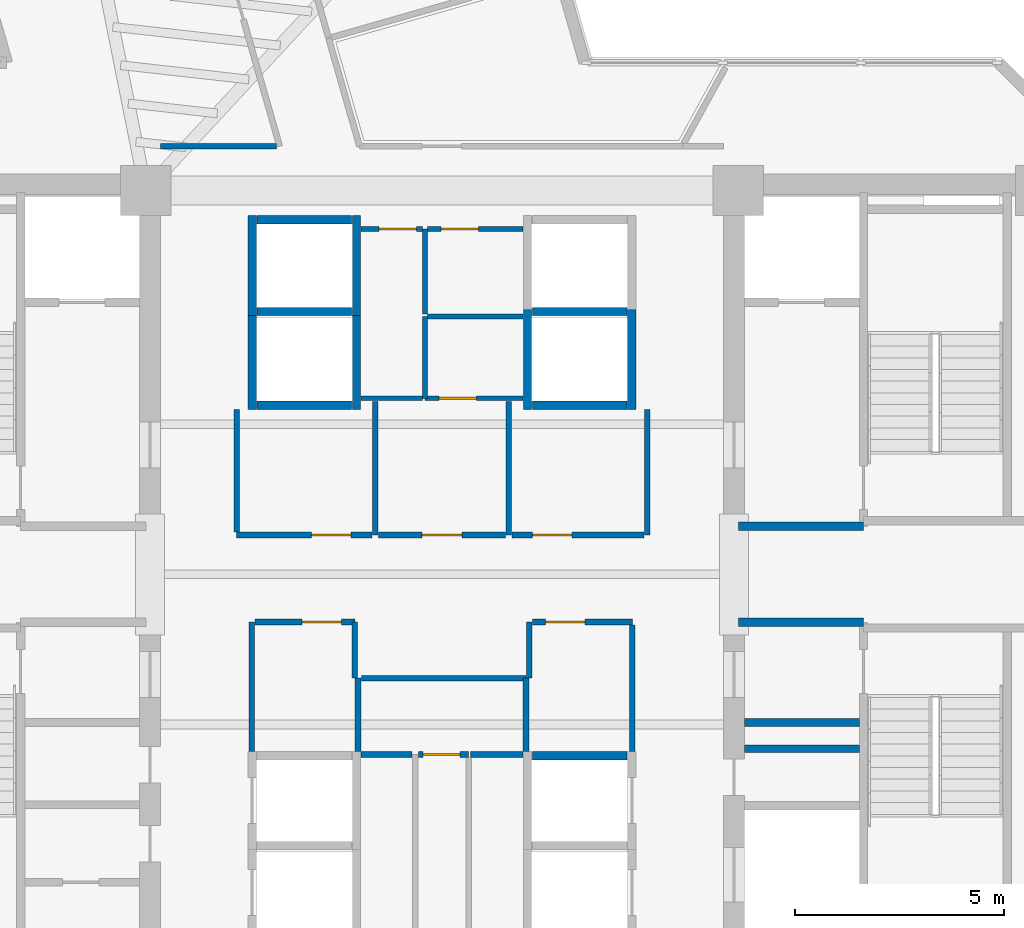
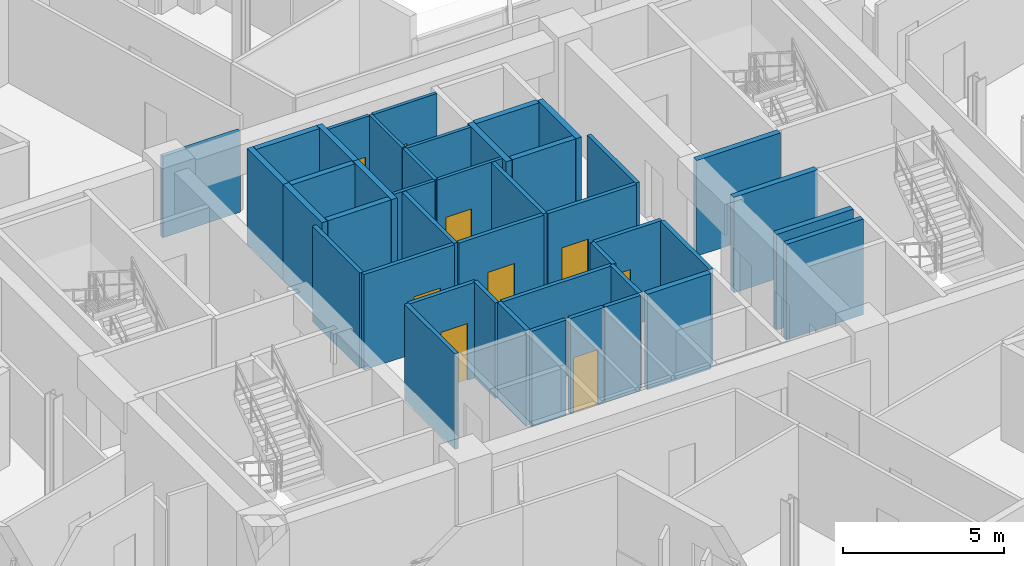
# One storey, part 7 of 14: 43 walls, 9 doors, 9 openings.
"""IFC4 building model written with IfcOpenShell, lengths in metres."""

from ifc_helpers import new_model, si_unit, direction, frame, frame_2d, origin, place, context, subcontext, project, spatial, rectangle, extrude, source, transform, mapped, material, layer, layer_set, type_object, element, fill, save


model = new_model("IFC4")

# Units and contexts
model_context = context("Model", 3, precision=1e-05, world=origin(), true_north=direction((0.0, 1.0)))
body_context = subcontext(model_context, "Body", "Model", "MODEL_VIEW")
ifc_project = project(units=[si_unit("LENGTHUNIT", "METRE"), si_unit("AREAUNIT", "SQUARE_METRE"), si_unit("VOLUMEUNIT", "CUBIC_METRE"), si_unit("PLANEANGLEUNIT", "RADIAN"), si_unit("MASSUNIT", "GRAM", prefix="KILO")], contexts=[model_context])

# Site, building, storey
site_placement = place(None, origin())
site = spatial("IfcSite", under=ifc_project, at=site_placement, CompositionType="ELEMENT")
building_placement = place(site_placement, origin())
building = spatial("IfcBuilding", under=site, at=building_placement, Name="Zahravan Cultural Tower", CompositionType="ELEMENT")
storey_placement = place(building_placement, frame((0.0, 0.0, 205.800048828125)))
storey = spatial("IfcBuildingStorey", under=building, at=storey_placement, Name="L48", CompositionType="ELEMENT", Elevation=205.800048828125)

# Wall, opening, door
ifc_material_1 = material(Name="Gypsum plasterboard partition")
ifc_layer_1 = layer(ifc_material_1, 0.139892578125)
ifc_layer_set_1 = layer_set([ifc_layer_1], Name="Gypsum plasterboard partition")
wall_type_1 = type_object("IfcWallType", Name="W-PART-140", PredefinedType="PARTITIONING", material=ifc_layer_set_1)
wall_1_placement = place(storey_placement, frame((35.43505859375, 22.679931640625, 0.0), z_axis=(0.0, 0.0, 1.0), x_axis=(1.0, 0.0, 0.0)))
wall_1 = element("IfcWall", 1, at=wall_1_placement, inside=storey, type_object=wall_type_1, Name="L48 Interior Wall 063", PredefinedType="PARTITIONING", context=body_context, shape_type="SweptSolid", body=[
    extrude(rectangle(XDim=1.204833984375, YDim=0.139892578125, at=frame_2d((0.6025390625, 0.0))), origin(), (0.0, 0.0, 1.0), 3.619873046875),
])
opening_1_placement = place(wall_1_placement, frame((0.11376953125, 0.0, 0.0)))
opening_1 = element("IfcOpeningElement", 2, at=opening_1_placement, cuts=wall_1, Name="Opening D-L48-34", PredefinedType="OPENING", context=body_context, shape_type="SweptSolid", body=[
    extrude(rectangle(XDim=0.8798828125, YDim=2.10009765625, at=frame_2d((0.43994140625, 1.050048828125))), frame((0.0, 0.079833984375, 0.0), z_axis=(0.0, -1.0, 0.0), x_axis=(1.0, 0.0, 0.0)), (0.0, 0.0, 1.0), 0.159912109375),
])
ifc_material_2 = material(Name="Anodised bronze-aluminium mullion", Category="aluminium")
door_type_1 = type_object("IfcDoorType", Name="DR-ROOM-880", OperationType="NOTDEFINED", PredefinedType="DOOR", material=ifc_material_2)
shared_shape_1 = source(origin(), body_context, "Body", "SweptSolid", [
    extrude(rectangle(XDim=0.8798828125, YDim=2.10009765625, at=frame_2d((0.43994140625, 1.050048828125))), frame((0.0, 0.02490234375, 0.0), z_axis=(0.0, -1.0, 0.0), x_axis=(1.0, 0.0, 0.0)), (0.0, 0.0, 1.0), 0.050048828125),
])
door_1_placement = place(opening_1_placement, origin())
door_1 = element("IfcDoor", 3, at=door_1_placement, inside=storey, type_object=door_type_1, Name="L48 Door D-L48-34", OperationType="SINGLE_SWING_LEFT", OverallHeight=2.10009765625, OverallWidth=0.8798828125, PredefinedType="DOOR", context=body_context, shape_type="MappedRepresentation", body=[
    mapped(shared_shape_1, transform((0.0, 0.0, 0.0), x_axis=(1.0, 0.0, 0.0), y_axis=(0.0, 1.0, 0.0), z_axis=(0.0, 0.0, 1.0), scale=1.0)),
])
fill(opening_1, door_1)

wall_2_placement = place(storey_placement, frame((31.514892578125, 25.860107421875, 0.0), z_axis=(0.0, 0.0, 1.0), x_axis=(1.0, 0.0, 0.0)))
wall_2 = element("IfcWall", 4, at=wall_2_placement, inside=storey, type_object=wall_type_1, Name="L48 Interior Wall 076", PredefinedType="PARTITIONING", context=body_context, shape_type="SweptSolid", body=[
    extrude(rectangle(XDim=2.39501953125, YDim=0.139892578125, at=frame_2d((1.197509765625, 0.0))), origin(), (0.0, 0.0, 1.0), 3.619873046875),
])
opening_2_placement = place(wall_2_placement, frame((1.127197265625, 0.0, 0.0)))
opening_2 = element("IfcOpeningElement", 5, at=opening_2_placement, cuts=wall_2, Name="Opening D-L48-13", PredefinedType="OPENING", context=body_context, shape_type="SweptSolid", body=[
    extrude(rectangle(XDim=0.949951171875, YDim=2.14990234375, at=frame_2d((0.47509765625, 1.074951171875))), frame((0.0, 0.079833984375, 0.0), z_axis=(0.0, -1.0, 0.0), x_axis=(1.0, 0.0, 0.0)), (0.0, 0.0, 1.0), 0.159912109375),
])
door_type_2 = type_object("IfcDoorType", Name="DR-ROOM-950", OperationType="NOTDEFINED", PredefinedType="DOOR", material=ifc_material_2)
shared_shape_2 = source(origin(), body_context, "Body", "SweptSolid", [
    extrude(rectangle(XDim=0.949951171875, YDim=2.14990234375, at=frame_2d((0.47509765625, 1.074951171875))), frame((0.0, 0.02490234375, 0.0), z_axis=(0.0, -1.0, 0.0), x_axis=(1.0, 0.0, 0.0)), (0.0, 0.0, 1.0), 0.050048828125),
])
door_2_placement = place(opening_2_placement, origin())
door_2 = element("IfcDoor", 6, at=door_2_placement, inside=storey, type_object=door_type_2, Name="L48 Door D-L48-13", OperationType="SINGLE_SWING_RIGHT", OverallHeight=2.14990234375, OverallWidth=0.949951171875, PredefinedType="DOOR", context=body_context, shape_type="MappedRepresentation", body=[
    mapped(shared_shape_2, transform((0.0, 0.0, 0.0), x_axis=(1.0, 0.0, 0.0), y_axis=(0.0, 1.0, 0.0), z_axis=(0.0, 0.0, 1.0), scale=1.0)),
])
fill(opening_2, door_2)

wall_3_placement = place(storey_placement, frame((38.1650390625, 25.860107421875, 0.0), z_axis=(0.0, 0.0, 1.0), x_axis=(1.0, 0.0, 0.0)))
wall_3 = element("IfcWall", 7, at=wall_3_placement, inside=storey, type_object=wall_type_1, Name="L48 Interior Wall 079", PredefinedType="PARTITIONING", context=body_context, shape_type="SweptSolid", body=[
    extrude(rectangle(XDim=2.39501953125, YDim=0.139892578125, at=frame_2d((1.197509765625, 0.0))), origin(), (0.0, 0.0, 1.0), 3.619873046875),
])
opening_3_placement = place(wall_3_placement, frame((0.31787109375, 0.0, 0.0)))
opening_3 = element("IfcOpeningElement", 8, at=opening_3_placement, cuts=wall_3, Name="Opening D-L48-14", PredefinedType="OPENING", context=body_context, shape_type="SweptSolid", body=[
    extrude(rectangle(XDim=0.949951171875, YDim=2.14990234375, at=frame_2d((0.47509765625, 1.074951171875))), frame((0.0, 0.079833984375, 0.0), z_axis=(0.0, -1.0, 0.0), x_axis=(1.0, 0.0, 0.0)), (0.0, 0.0, 1.0), 0.159912109375),
])
door_3_placement = place(opening_3_placement, origin())
door_3 = element("IfcDoor", 9, at=door_3_placement, inside=storey, type_object=door_type_2, Name="L48 Door D-L48-14", OperationType="SINGLE_SWING_LEFT", OverallHeight=2.14990234375, OverallWidth=0.949951171875, PredefinedType="DOOR", context=body_context, shape_type="MappedRepresentation", body=[
    mapped(shared_shape_2, transform((0.0, 0.0, 0.0), x_axis=(1.0, 0.0, 0.0), y_axis=(0.0, 1.0, 0.0), z_axis=(0.0, 0.0, 1.0), scale=1.0)),
])
fill(opening_3, door_3)

wall_4_placement = place(storey_placement, frame((37.52490234375, 27.93994140625, 0.0), z_axis=(0.0, 0.0, 1.0), x_axis=(-1.0, 0.0, 0.0)))
wall_4 = element("IfcWall", 10, at=wall_4_placement, inside=storey, type_object=wall_type_1, Name="L48 Interior Wall 083", PredefinedType="PARTITIONING", context=body_context, shape_type="SweptSolid", body=[
    extrude(rectangle(XDim=3.0498046875, YDim=0.139892578125, at=frame_2d((1.52490234375, 0.0))), origin(), (0.0, 0.0, 1.0), 3.619873046875),
])
opening_4_placement = place(wall_4_placement, frame((1.050048828125, 0.0, 0.0)))
opening_4 = element("IfcOpeningElement", 11, at=opening_4_placement, cuts=wall_4, Name="Opening D-L48-18", PredefinedType="OPENING", context=body_context, shape_type="SweptSolid", body=[
    extrude(rectangle(XDim=0.949951171875, YDim=2.14990234375, at=frame_2d((0.47509765625, 1.074951171875))), frame((0.0, 0.079833984375, 0.0), z_axis=(0.0, -1.0, 0.0), x_axis=(1.0, 0.0, 0.0)), (0.0, 0.0, 1.0), 0.159912109375),
])
door_4_placement = place(opening_4_placement, origin())
door_4 = element("IfcDoor", 12, at=door_4_placement, inside=storey, type_object=door_type_2, Name="L48 Door D-L48-18", OperationType="SINGLE_SWING_LEFT", OverallHeight=2.14990234375, OverallWidth=0.949951171875, PredefinedType="DOOR", context=body_context, shape_type="MappedRepresentation", body=[
    mapped(shared_shape_2, transform((0.0, 0.0, 0.0), x_axis=(1.0, 0.0, 0.0), y_axis=(0.0, 1.0, 0.0), z_axis=(0.0, 0.0, 1.0), scale=1.0)),
])
fill(opening_4, door_4)

wall_5_placement = place(storey_placement, frame((34.324951171875, 27.93994140625, 0.0), z_axis=(0.0, 0.0, 1.0), x_axis=(-1.0, 0.0, 0.0)))
wall_5 = element("IfcWall", 13, at=wall_5_placement, inside=storey, type_object=wall_type_1, Name="L48 Interior Wall 084", PredefinedType="PARTITIONING", context=body_context, shape_type="SweptSolid", body=[
    extrude(rectangle(XDim=3.244873046875, YDim=0.139892578125, at=frame_2d((1.62255859375, 0.0))), origin(), (0.0, 0.0, 1.0), 3.619873046875),
])
opening_5_placement = place(wall_5_placement, frame((0.5048828125, 0.0, 0.0)))
opening_5 = element("IfcOpeningElement", 14, at=opening_5_placement, cuts=wall_5, Name="Opening D-L48-17", PredefinedType="OPENING", context=body_context, shape_type="SweptSolid", body=[
    extrude(rectangle(XDim=0.949951171875, YDim=2.14990234375, at=frame_2d((0.47509765625, 1.074951171875))), frame((0.0, 0.079833984375, 0.0), z_axis=(0.0, -1.0, 0.0), x_axis=(1.0, 0.0, 0.0)), (0.0, 0.0, 1.0), 0.159912109375),
])
door_5_placement = place(opening_5_placement, origin())
door_5 = element("IfcDoor", 15, at=door_5_placement, inside=storey, type_object=door_type_2, Name="L48 Door D-L48-17", OperationType="SINGLE_SWING_RIGHT", OverallHeight=2.14990234375, OverallWidth=0.949951171875, PredefinedType="DOOR", context=body_context, shape_type="MappedRepresentation", body=[
    mapped(shared_shape_2, transform((0.0, 0.0, 0.0), x_axis=(1.0, 0.0, 0.0), y_axis=(0.0, 1.0, 0.0), z_axis=(0.0, 0.0, 1.0), scale=1.0)),
])
fill(opening_5, door_5)

wall_6_placement = place(storey_placement, frame((40.844970703125, 27.93994140625, 0.0), z_axis=(0.0, 0.0, 1.0), x_axis=(-1.0, 0.0, 0.0)))
wall_6 = element("IfcWall", 16, at=wall_6_placement, inside=storey, type_object=wall_type_1, Name="L48 Interior Wall 087", PredefinedType="PARTITIONING", context=body_context, shape_type="SweptSolid", body=[
    extrude(rectangle(XDim=3.169921875, YDim=0.139892578125, at=frame_2d((1.5849609375, 0.0))), origin(), (0.0, 0.0, 1.0), 3.619873046875),
])
opening_6_placement = place(wall_6_placement, frame((1.731689453125, 0.0, 0.0)))
opening_6 = element("IfcOpeningElement", 17, at=opening_6_placement, cuts=wall_6, Name="Opening D-L48-19", PredefinedType="OPENING", context=body_context, shape_type="SweptSolid", body=[
    extrude(rectangle(XDim=0.949951171875, YDim=2.14990234375, at=frame_2d((0.47509765625, 1.074951171875))), frame((0.0, 0.079833984375, 0.0), z_axis=(0.0, -1.0, 0.0), x_axis=(1.0, 0.0, 0.0)), (0.0, 0.0, 1.0), 0.159912109375),
])
door_6_placement = place(opening_6_placement, origin())
door_6 = element("IfcDoor", 18, at=door_6_placement, inside=storey, type_object=door_type_2, Name="L48 Door D-L48-19", OperationType="SINGLE_SWING_RIGHT", OverallHeight=2.14990234375, OverallWidth=0.949951171875, PredefinedType="DOOR", context=body_context, shape_type="MappedRepresentation", body=[
    mapped(shared_shape_2, transform((0.0, 0.0, 0.0), x_axis=(1.0, 0.0, 0.0), y_axis=(0.0, 1.0, 0.0), z_axis=(0.0, 0.0, 1.0), scale=1.0)),
])
fill(opening_6, door_6)

ifc_layer_2 = layer(ifc_material_1, 0.114990234375)
ifc_layer_set_2 = layer_set([ifc_layer_2], Name="Gypsum plasterboard partition")
wall_type_2 = type_object("IfcWallType", Name="W-WC-115", PredefinedType="PARTITIONING", material=ifc_layer_set_2)
wall_7_placement = place(storey_placement, frame((37.945068359375, 31.219970703125, 0.0), z_axis=(0.0, 0.0, 1.0), x_axis=(-1.0, 0.0, 0.0)))
wall_7 = element("IfcWall", 19, at=wall_7_placement, inside=storey, type_object=wall_type_2, Name="L48 Interior Wall 057", PredefinedType="PARTITIONING", context=body_context, shape_type="SweptSolid", body=[
    extrude(rectangle(XDim=2.35498046875, YDim=0.114990234375, at=frame_2d((1.177490234375, 0.0))), origin(), (0.0, 0.0, 1.0), 3.619873046875),
])
opening_7_placement = place(wall_7_placement, frame((1.120849609375, 0.0, 0.0)))
opening_7 = element("IfcOpeningElement", 20, at=opening_7_placement, cuts=wall_7, Name="Opening D-L48-35", PredefinedType="OPENING", context=body_context, shape_type="SweptSolid", body=[
    extrude(rectangle(XDim=0.89990234375, YDim=2.10009765625, at=frame_2d((0.449951171875, 1.050048828125))), frame((0.0, 0.0673828125, 0.0), z_axis=(0.0, -1.0, 0.0), x_axis=(1.0, 0.0, 0.0)), (0.0, 0.0, 1.0), 0.135009765625),
])
door_type_3 = type_object("IfcDoorType", Name="DR-WC-900", OperationType="NOTDEFINED", PredefinedType="DOOR", material=ifc_material_2)
shared_shape_3 = source(origin(), body_context, "Body", "SweptSolid", [
    extrude(rectangle(XDim=0.89990234375, YDim=2.10009765625, at=frame_2d((0.449951171875, 1.050048828125))), frame((0.0, 0.02490234375, 0.0), z_axis=(0.0, -1.0, 0.0), x_axis=(1.0, 0.0, 0.0)), (0.0, 0.0, 1.0), 0.050048828125),
])
door_7_placement = place(opening_7_placement, origin())
door_7 = element("IfcDoor", 21, at=door_7_placement, inside=storey, type_object=door_type_3, Name="L48 Door D-L48-35", OperationType="SINGLE_SWING_RIGHT", OverallHeight=2.10009765625, OverallWidth=0.89990234375, PredefinedType="DOOR", context=body_context, shape_type="MappedRepresentation", body=[
    mapped(shared_shape_3, transform((0.0, 0.0, 0.0), x_axis=(1.0, 0.0, 0.0), y_axis=(0.0, 1.0, 0.0), z_axis=(0.0, 0.0, 1.0), scale=1.0)),
])
fill(opening_7, door_7)

wall_8_placement = place(storey_placement, frame((35.652587890625, 35.280029296875, 0.0), z_axis=(0.0, 0.0, 1.0), x_axis=(1.0, 0.0, 0.0)))
wall_8 = element("IfcWall", 22, at=wall_8_placement, inside=storey, type_object=wall_type_2, Name="L48 Interior Wall 061", PredefinedType="PARTITIONING", context=body_context, shape_type="SweptSolid", body=[
    extrude(rectangle(XDim=2.29248046875, YDim=0.114990234375, at=frame_2d((1.146240234375, 0.0))), origin(), (0.0, 0.0, 1.0), 3.619873046875),
])
opening_8_placement = place(wall_8_placement, frame((0.3203125, 0.0, 0.0)))
opening_8 = element("IfcOpeningElement", 23, at=opening_8_placement, cuts=wall_8, Name="Opening D-L48-16", PredefinedType="OPENING", context=body_context, shape_type="SweptSolid", body=[
    extrude(rectangle(XDim=0.89990234375, YDim=2.10009765625, at=frame_2d((0.449951171875, 1.050048828125))), frame((0.0, 0.0673828125, 0.0), z_axis=(0.0, -1.0, 0.0), x_axis=(1.0, 0.0, 0.0)), (0.0, 0.0, 1.0), 0.135009765625),
])
door_8_placement = place(opening_8_placement, origin())
door_8 = element("IfcDoor", 24, at=door_8_placement, inside=storey, type_object=door_type_3, Name="L48 Door D-L48-16", OperationType="SINGLE_SWING_LEFT", OverallHeight=2.10009765625, OverallWidth=0.89990234375, PredefinedType="DOOR", context=body_context, shape_type="MappedRepresentation", body=[
    mapped(shared_shape_3, transform((0.0, 0.0, 0.0), x_axis=(1.0, 0.0, 0.0), y_axis=(0.0, 1.0, 0.0), z_axis=(0.0, 0.0, 1.0), scale=1.0)),
])
fill(opening_8, door_8)

wall_9_placement = place(storey_placement, frame((34.054931640625, 35.280029296875, 0.0), z_axis=(0.0, 0.0, 1.0), x_axis=(1.0, 0.0, 0.0)))
wall_9 = element("IfcWall", 25, at=wall_9_placement, inside=storey, type_object=wall_type_2, Name="L48 Interior Wall 071", PredefinedType="PARTITIONING", context=body_context, shape_type="SweptSolid", body=[
    extrude(rectangle(XDim=1.47265625, YDim=0.114990234375, at=frame_2d((0.736328125, 0.0))), origin(), (0.0, 0.0, 1.0), 3.619873046875),
])
opening_9_placement = place(wall_9_placement, frame((0.4326171875, 0.0, 0.0)))
opening_9 = element("IfcOpeningElement", 26, at=opening_9_placement, cuts=wall_9, Name="Opening D-L48-15", PredefinedType="OPENING", context=body_context, shape_type="SweptSolid", body=[
    extrude(rectangle(XDim=0.89990234375, YDim=2.10009765625, at=frame_2d((0.449951171875, 1.050048828125))), frame((0.0, 0.0673828125, 0.0), z_axis=(0.0, -1.0, 0.0), x_axis=(1.0, 0.0, 0.0)), (0.0, 0.0, 1.0), 0.135009765625),
])
door_9_placement = place(opening_9_placement, origin())
door_9 = element("IfcDoor", 27, at=door_9_placement, inside=storey, type_object=door_type_3, Name="L48 Door D-L48-15", OperationType="SINGLE_SWING_RIGHT", OverallHeight=2.10009765625, OverallWidth=0.89990234375, PredefinedType="DOOR", context=body_context, shape_type="MappedRepresentation", body=[
    mapped(shared_shape_3, transform((0.0, 0.0, 0.0), x_axis=(1.0, 0.0, 0.0), y_axis=(0.0, 1.0, 0.0), z_axis=(0.0, 0.0, 1.0), scale=1.0)),
])
fill(opening_9, door_9)

# Walls
ifc_material_3 = material(Name="Concrete C45/55", Category="concrete")
ifc_layer_3 = layer(ifc_material_3, 0.199951171875)
ifc_layer_set_3 = layer_set([ifc_layer_3], Name="Concrete C45/55")
wall_type_3 = type_object("IfcWallType", Name="W-SHAFT-200", PredefinedType="SOLIDWALL", material=ifc_layer_set_3)
shared_shape_4 = source(origin(), body_context, "Body", "SweptSolid", [
    extrude(rectangle(XDim=3.0, YDim=0.199951171875, at=frame_2d((1.5, 0.0))), origin(), (0.0, 0.0, 1.0), 3.619873046875),
])
for number, where, z_axis, x_axis, name in (
    (28, (43.10009765625, 25.85009765625, 0.0), (0.0, 0.0, 1.0), (1.0, 0.0, 0.0), "L48 Interior Wall 013"),
    (29, (43.10009765625, 28.14990234375, 0.0), (0.0, 0.0, 1.0), (1.0, 0.0, 0.0), "L48 Interior Wall 015"),
):
    element("IfcWall", number, at=place(storey_placement, frame(where, z_axis=z_axis, x_axis=x_axis)), inside=storey, type_object=wall_type_3, Name=name, PredefinedType="SOLIDWALL", context=body_context, shape_type="MappedRepresentation", body=[
        mapped(shared_shape_4, transform((0.0, 0.0, 0.0), x_axis=(1.0, 0.0, 0.0), y_axis=(0.0, 1.0, 0.0), z_axis=(0.0, 0.0, 1.0), scale=1.0)),
    ])
shared_shape_5 = source(origin(), body_context, "Body", "SweptSolid", [
    extrude(rectangle(XDim=2.75, YDim=0.199951171875, at=frame_2d((1.375, 0.0))), origin(), (0.0, 0.0, 1.0), 3.619873046875),
])
wall_10_placement = place(storey_placement, frame((43.25, 23.449951171875, 0.0), z_axis=(0.0, 0.0, 1.0), x_axis=(1.0, 0.0, 0.0)))
element("IfcWall", 30, at=wall_10_placement, inside=storey, type_object=wall_type_3, Name="L48 Interior Wall 024", PredefinedType="SOLIDWALL", context=body_context, shape_type="MappedRepresentation", body=[
    mapped(shared_shape_5, transform((0.0, 0.0, 0.0), x_axis=(1.0, 0.0, 0.0), y_axis=(0.0, 1.0, 0.0), z_axis=(0.0, 0.0, 1.0), scale=1.0)),
])
ifc_layer_4 = layer(ifc_material_1, 0.179931640625)
ifc_layer_set_4 = layer_set([ifc_layer_4], Name="Gypsum plasterboard partition")
wall_type_4 = type_object("IfcWallType", Name="W-COMP-180", PredefinedType="PARTITIONING", material=ifc_layer_set_4)
shared_shape_6 = source(origin(), body_context, "Body", "SweptSolid", [
    extrude(rectangle(XDim=2.75, YDim=0.179931640625, at=frame_2d((1.375, 0.0))), origin(), (0.0, 0.0, 1.0), 3.619873046875),
])
wall_11_placement = place(storey_placement, frame((43.25, 22.820068359375, 0.0), z_axis=(0.0, 0.0, 1.0), x_axis=(1.0, 0.0, 0.0)))
element("IfcWall", 31, at=wall_11_placement, inside=storey, type_object=wall_type_4, Name="L48 Interior Wall 028", PredefinedType="PARTITIONING", context=body_context, shape_type="MappedRepresentation", body=[
    mapped(shared_shape_6, transform((0.0, 0.0, 0.0), x_axis=(1.0, 0.0, 0.0), y_axis=(0.0, 1.0, 0.0), z_axis=(0.0, 0.0, 1.0), scale=1.0)),
])
shared_shape_7 = source(origin(), body_context, "Body", "SweptSolid", [
    extrude(rectangle(XDim=2.400146484375, YDim=0.199951171875, at=frame_2d((1.2001953125, 0.0))), origin(), (0.0, 0.0, 1.0), 3.619873046875),
])
for number, where, z_axis, x_axis, name in (
    (32, (31.449951171875, 33.199951171875, 0.0), (0.0, 0.0, 1.0), (0.0, 1.0, 0.0), "L48 Interior Wall 029"),
    (33, (33.949951171875, 33.199951171875, 0.0), (0.0, 0.0, 1.0), (0.0, 1.0, 0.0), "L48 Interior Wall 030"),
    (34, (31.449951171875, 30.949951171875, 0.0), (0.0, 0.0, 1.0), (0.0, 1.0, 0.0), "L48 Interior Wall 033"),
    (35, (33.949951171875, 30.949951171875, 0.0), (0.0, 0.0, 1.0), (0.0, 1.0, 0.0), "L48 Interior Wall 034"),
    (36, (38.050048828125, 30.949951171875, 0.0), (0.0, 0.0, 1.0), (0.0, 1.0, 0.0), "L48 Interior Wall 040"),
    (37, (40.550048828125, 30.949951171875, 0.0), (0.0, 0.0, 1.0), (0.0, 1.0, 0.0), "L48 Interior Wall 041"),
):
    element("IfcWall", number, at=place(storey_placement, frame(where, z_axis=z_axis, x_axis=x_axis)), inside=storey, type_object=wall_type_3, Name=name, PredefinedType="SOLIDWALL", context=body_context, shape_type="MappedRepresentation", body=[
        mapped(shared_shape_7, transform((0.0, 0.0, 0.0), x_axis=(1.0, 0.0, 0.0), y_axis=(0.0, 1.0, 0.0), z_axis=(0.0, 0.0, 1.0), scale=1.0)),
    ])
shared_shape_8 = source(origin(), body_context, "Body", "SweptSolid", [
    extrude(rectangle(XDim=2.260009765625, YDim=0.199951171875, at=frame_2d((1.1298828125, 0.0))), origin(), (0.0, 0.0, 1.0), 3.619873046875),
])
for number, where, z_axis, x_axis, name in (
    (38, (31.570068359375, 33.300048828125, 0.0), (0.0, 0.0, 1.0), (1.0, 0.0, 0.0), "L48 Interior Wall 031"),
    (39, (31.570068359375, 35.5, 0.0), (0.0, 0.0, 1.0), (1.0, 0.0, 0.0), "L48 Interior Wall 032"),
    (40, (31.570068359375, 31.050048828125, 0.0), (0.0, 0.0, 1.0), (1.0, 0.0, 0.0), "L48 Interior Wall 035"),
    (41, (38.169921875, 33.300048828125, 0.0), (0.0, 0.0, 1.0), (1.0, 0.0, 0.0), "L48 Interior Wall 038"),
    (42, (38.169921875, 31.050048828125, 0.0), (0.0, 0.0, 1.0), (1.0, 0.0, 0.0), "L48 Interior Wall 042"),
    (43, (38.169921875, 22.64990234375, 0.0), (0.0, 0.0, 1.0), (1.0, 0.0, 0.0), "L48 Interior Wall 053"),
):
    element("IfcWall", number, at=place(storey_placement, frame(where, z_axis=z_axis, x_axis=x_axis)), inside=storey, type_object=wall_type_3, Name=name, PredefinedType="SOLIDWALL", context=body_context, shape_type="MappedRepresentation", body=[
        mapped(shared_shape_8, transform((0.0, 0.0, 0.0), x_axis=(1.0, 0.0, 0.0), y_axis=(0.0, 1.0, 0.0), z_axis=(0.0, 0.0, 1.0), scale=1.0)),
    ])
shared_shape_9 = source(origin(), body_context, "Body", "SweptSolid", [
    extrude(rectangle(XDim=1.9599609375, YDim=0.114990234375, at=frame_2d((0.97998046875, 0.0))), origin(), (0.0, 0.0, 1.0), 3.619873046875),
])
wall_12_placement = place(storey_placement, frame((35.590087890625, 31.219970703125, 0.0), z_axis=(0.0, 0.0, 1.0), x_axis=(0.0, 1.0, 0.0)))
element("IfcWall", 44, at=wall_12_placement, inside=storey, type_object=wall_type_2, Name="L48 Interior Wall 058", PredefinedType="PARTITIONING", context=body_context, shape_type="MappedRepresentation", body=[
    mapped(shared_shape_9, transform((0.0, 0.0, 0.0), x_axis=(1.0, 0.0, 0.0), y_axis=(0.0, 1.0, 0.0), z_axis=(0.0, 0.0, 1.0), scale=1.0)),
])
shared_shape_10 = source(origin(), body_context, "Body", "SweptSolid", [
    extrude(rectangle(XDim=2.29248046875, YDim=0.114990234375, at=frame_2d((1.146240234375, 0.0))), origin(), (0.0, 0.0, 1.0), 3.619873046875),
])
wall_13_placement = place(storey_placement, frame((35.652587890625, 33.179931640625, 0.0), z_axis=(0.0, 0.0, 1.0), x_axis=(1.0, 0.0, 0.0)))
element("IfcWall", 45, at=wall_13_placement, inside=storey, type_object=wall_type_2, Name="L48 Interior Wall 059", PredefinedType="PARTITIONING", context=body_context, shape_type="MappedRepresentation", body=[
    mapped(shared_shape_10, transform((0.0, 0.0, 0.0), x_axis=(1.0, 0.0, 0.0), y_axis=(0.0, 1.0, 0.0), z_axis=(0.0, 0.0, 1.0), scale=1.0)),
])
shared_shape_11 = source(origin(), body_context, "Body", "SweptSolid", [
    extrude(rectangle(XDim=2.0400390625, YDim=0.114990234375, at=frame_2d((1.02001953125, 0.0))), origin(), (0.0, 0.0, 1.0), 3.619873046875),
])
wall_14_placement = place(storey_placement, frame((35.590087890625, 33.239990234375, 0.0), z_axis=(0.0, 0.0, 1.0), x_axis=(0.0, 1.0, 0.0)))
element("IfcWall", 46, at=wall_14_placement, inside=storey, type_object=wall_type_2, Name="L48 Interior Wall 060", PredefinedType="PARTITIONING", context=body_context, shape_type="MappedRepresentation", body=[
    mapped(shared_shape_11, transform((0.0, 0.0, 0.0), x_axis=(1.0, 0.0, 0.0), y_axis=(0.0, 1.0, 0.0), z_axis=(0.0, 0.0, 1.0), scale=1.0)),
])
shared_shape_12 = source(origin(), body_context, "Body", "SweptSolid", [
    extrude(rectangle(XDim=1.22998046875, YDim=0.139892578125, at=frame_2d((0.614990234375, 0.0))), origin(), (0.0, 0.0, 1.0), 3.619873046875),
])
wall_15_placement = place(storey_placement, frame((34.054931640625, 22.679931640625, 0.0), z_axis=(0.0, 0.0, 1.0), x_axis=(1.0, 0.0, 0.0)))
element("IfcWall", 47, at=wall_15_placement, inside=storey, type_object=wall_type_1, Name="L48 Interior Wall 066", PredefinedType="PARTITIONING", context=body_context, shape_type="MappedRepresentation", body=[
    mapped(shared_shape_12, transform((0.0, 0.0, 0.0), x_axis=(1.0, 0.0, 0.0), y_axis=(0.0, 1.0, 0.0), z_axis=(0.0, 0.0, 1.0), scale=1.0)),
])
shared_shape_13 = source(origin(), body_context, "Body", "SweptSolid", [
    extrude(rectangle(XDim=1.26513671875, YDim=0.139892578125, at=frame_2d((0.632568359375, 0.0))), origin(), (0.0, 0.0, 1.0), 3.619873046875),
])
wall_16_placement = place(storey_placement, frame((36.679931640625, 22.679931640625, 0.0), z_axis=(0.0, 0.0, 1.0), x_axis=(1.0, 0.0, 0.0)))
element("IfcWall", 48, at=wall_16_placement, inside=storey, type_object=wall_type_1, Name="L48 Interior Wall 068", PredefinedType="PARTITIONING", context=body_context, shape_type="MappedRepresentation", body=[
    mapped(shared_shape_13, transform((0.0, 0.0, 0.0), x_axis=(1.0, 0.0, 0.0), y_axis=(0.0, 1.0, 0.0), z_axis=(0.0, 0.0, 1.0), scale=1.0)),
])
shared_shape_14 = source(origin(), body_context, "Body", "SweptSolid", [
    extrude(rectangle(XDim=1.47265625, YDim=0.114990234375, at=frame_2d((0.736328125, 0.0))), origin(), (0.0, 0.0, 1.0), 3.619873046875),
])
wall_17_placement = place(storey_placement, frame((35.527587890625, 31.219970703125, 0.0), z_axis=(0.0, 0.0, 1.0), x_axis=(-1.0, 0.0, 0.0)))
element("IfcWall", 49, at=wall_17_placement, inside=storey, type_object=wall_type_2, Name="L48 Interior Wall 070", PredefinedType="PARTITIONING", context=body_context, shape_type="MappedRepresentation", body=[
    mapped(shared_shape_14, transform((0.0, 0.0, 0.0), x_axis=(1.0, 0.0, 0.0), y_axis=(0.0, 1.0, 0.0), z_axis=(0.0, 0.0, 1.0), scale=1.0)),
])
shared_shape_15 = source(origin(), body_context, "Body", "SweptSolid", [
    extrude(rectangle(XDim=3.199951171875, YDim=0.139892578125, at=frame_2d((1.60009765625, 0.0))), origin(), (0.0, 0.0, 1.0), 3.619873046875),
])
for number, where, z_axis, x_axis, name in (
    (50, (34.39990234375, 27.93994140625, 0.0), (0.0, 0.0, 1.0), (0.0, 1.0, 0.0), "L48 Interior Wall 081"),
    (51, (37.60009765625, 31.139892578125, 0.0), (0.0, 0.0, 1.0), (0.0, -1.0, 0.0), "L48 Interior Wall 082"),
):
    element("IfcWall", number, at=place(storey_placement, frame(where, z_axis=z_axis, x_axis=x_axis)), inside=storey, type_object=wall_type_1, Name=name, PredefinedType="PARTITIONING", context=body_context, shape_type="MappedRepresentation", body=[
        mapped(shared_shape_15, transform((0.0, 0.0, 0.0), x_axis=(1.0, 0.0, 0.0), y_axis=(0.0, 1.0, 0.0), z_axis=(0.0, 0.0, 1.0), scale=1.0)),
    ])
shared_shape_16 = source(origin(), body_context, "Body", "SweptSolid", [
    extrude(rectangle(XDim=2.93505859375, YDim=0.139892578125, at=frame_2d((1.467529296875, 0.0))), origin(), (0.0, 0.0, 1.0), 3.619873046875),
])
wall_18_placement = place(storey_placement, frame((31.080078125, 28.014892578125, 0.0), z_axis=(0.0, 0.0, 1.0), x_axis=(0.0, 1.0, 0.0)))
element("IfcWall", 52, at=wall_18_placement, inside=storey, type_object=wall_type_1, Name="L48 Interior Wall 085", PredefinedType="PARTITIONING", context=body_context, shape_type="MappedRepresentation", body=[
    mapped(shared_shape_16, transform((0.0, 0.0, 0.0), x_axis=(1.0, 0.0, 0.0), y_axis=(0.0, 1.0, 0.0), z_axis=(0.0, 0.0, 1.0), scale=1.0)),
])
shared_shape_17 = source(origin(), body_context, "Body", "SweptSolid", [
    extrude(rectangle(XDim=3.010009765625, YDim=0.139892578125, at=frame_2d((1.5048828125, 0.0))), origin(), (0.0, 0.0, 1.0), 3.619873046875),
])
wall_19_placement = place(storey_placement, frame((40.919921875, 30.949951171875, 0.0), z_axis=(0.0, 0.0, 1.0), x_axis=(0.0, -1.0, 0.0)))
element("IfcWall", 53, at=wall_19_placement, inside=storey, type_object=wall_type_1, Name="L48 Interior Wall 086", PredefinedType="PARTITIONING", context=body_context, shape_type="MappedRepresentation", body=[
    mapped(shared_shape_17, transform((0.0, 0.0, 0.0), x_axis=(1.0, 0.0, 0.0), y_axis=(0.0, 1.0, 0.0), z_axis=(0.0, 0.0, 1.0), scale=1.0)),
])
shared_shape_18 = source(origin(), body_context, "Body", "SweptSolid", [
    extrude(rectangle(XDim=3.110107421875, YDim=0.139892578125, at=frame_2d((1.55517578125, 0.0))), origin(), (0.0, 0.0, 1.0), 3.619873046875),
])
wall_20_placement = place(storey_placement, frame((31.43994140625, 22.75, 0.0), z_axis=(0.0, 0.0, 1.0), x_axis=(0.0, 1.0, 0.0)))
element("IfcWall", 54, at=wall_20_placement, inside=storey, type_object=wall_type_1, Name="L48 Interior Wall 075", PredefinedType="PARTITIONING", context=body_context, shape_type="MappedRepresentation", body=[
    mapped(shared_shape_18, transform((0.0, 0.0, 0.0), x_axis=(1.0, 0.0, 0.0), y_axis=(0.0, 1.0, 0.0), z_axis=(0.0, 0.0, 1.0), scale=1.0)),
])
shared_shape_19 = source(origin(), body_context, "Body", "SweptSolid", [
    extrude(rectangle(XDim=3.034912109375, YDim=0.139892578125, at=frame_2d((1.517578125, 0.0))), origin(), (0.0, 0.0, 1.0), 3.619873046875),
])
wall_21_placement = place(storey_placement, frame((40.56005859375, 25.784912109375, 0.0), z_axis=(0.0, 0.0, 1.0), x_axis=(0.0, -1.0, 0.0)))
element("IfcWall", 55, at=wall_21_placement, inside=storey, type_object=wall_type_1, Name="L48 Interior Wall 080", PredefinedType="PARTITIONING", context=body_context, shape_type="MappedRepresentation", body=[
    mapped(shared_shape_19, transform((0.0, 0.0, 0.0), x_axis=(1.0, 0.0, 0.0), y_axis=(0.0, 1.0, 0.0), z_axis=(0.0, 0.0, 1.0), scale=1.0)),
])
shared_shape_20 = source(origin(), body_context, "Body", "SweptSolid", [
    extrude(rectangle(XDim=1.760009765625, YDim=0.139892578125, at=frame_2d((0.8798828125, 0.0))), origin(), (0.0, 0.0, 1.0), 3.619873046875),
])
for number, where, z_axis, x_axis, name in (
    (56, (33.989990234375, 22.75, 0.0), (0.0, 0.0, 1.0), (0.0, 1.0, 0.0), "L48 Interior Wall 072"),
    (57, (38.010009765625, 24.510009765625, 0.0), (0.0, 0.0, 1.0), (0.0, -1.0, 0.0), "L48 Interior Wall 074"),
):
    element("IfcWall", number, at=place(storey_placement, frame(where, z_axis=z_axis, x_axis=x_axis)), inside=storey, type_object=wall_type_1, Name=name, PredefinedType="PARTITIONING", context=body_context, shape_type="MappedRepresentation", body=[
        mapped(shared_shape_20, transform((0.0, 0.0, 0.0), x_axis=(1.0, 0.0, 0.0), y_axis=(0.0, 1.0, 0.0), z_axis=(0.0, 0.0, 1.0), scale=1.0)),
    ])
shared_shape_21 = source(origin(), body_context, "Body", "SweptSolid", [
    extrude(rectangle(XDim=3.945068359375, YDim=0.139892578125, at=frame_2d((1.97265625, 0.0))), origin(), (0.0, 0.0, 1.0), 3.619873046875),
])
wall_22_placement = place(storey_placement, frame((34.06494140625, 24.510009765625, 0.0), z_axis=(0.0, 0.0, 1.0), x_axis=(1.0, 0.0, 0.0)))
element("IfcWall", 58, at=wall_22_placement, inside=storey, type_object=wall_type_1, Name="L48 Interior Wall 073", PredefinedType="PARTITIONING", context=body_context, shape_type="MappedRepresentation", body=[
    mapped(shared_shape_21, transform((0.0, 0.0, 0.0), x_axis=(1.0, 0.0, 0.0), y_axis=(0.0, 1.0, 0.0), z_axis=(0.0, 0.0, 1.0), scale=1.0)),
])
shared_shape_22 = source(origin(), body_context, "Body", "SweptSolid", [
    extrude(rectangle(XDim=1.35009765625, YDim=0.139892578125, at=frame_2d((0.675048828125, 0.0))), origin(), (0.0, 0.0, 1.0), 3.619873046875),
])
for number, where, z_axis, x_axis, name in (
    (59, (33.909912109375, 25.860107421875, 0.0), (0.0, 0.0, 1.0), (0.0, -1.0, 0.0), "L48 Interior Wall 077"),
    (60, (38.090087890625, 24.510009765625, 0.0), (0.0, 0.0, 1.0), (0.0, 1.0, 0.0), "L48 Interior Wall 078"),
):
    element("IfcWall", number, at=place(storey_placement, frame(where, z_axis=z_axis, x_axis=x_axis)), inside=storey, type_object=wall_type_1, Name=name, PredefinedType="PARTITIONING", context=body_context, shape_type="MappedRepresentation", body=[
        mapped(shared_shape_22, transform((0.0, 0.0, 0.0), x_axis=(1.0, 0.0, 0.0), y_axis=(0.0, 1.0, 0.0), z_axis=(0.0, 0.0, 1.0), scale=1.0)),
    ])
shared_shape_23 = source(origin(), body_context, "Body", "SweptSolid", [
    extrude(rectangle(XDim=2.776123046875, YDim=0.139892578125, at=frame_2d((1.38818359375, 0.0))), origin(), (0.0, 0.0, 1.0), 3.078857421875),
])
wall_23_placement = place(storey_placement, frame((32.031005859375, 37.260009765625, 0.0), z_axis=(0.0, 0.0, 1.0), x_axis=(-0.999999903325, -0.000439715022, 0.0)))
element("IfcWall", 61, at=wall_23_placement, inside=storey, type_object=wall_type_1, Name="L48 Interior Wall 121", PredefinedType="PARTITIONING", context=body_context, shape_type="MappedRepresentation", body=[
    mapped(shared_shape_23, transform((0.0, 0.0, 0.0), x_axis=(1.0, 0.0, 0.0), y_axis=(0.0, 1.0, 0.0), z_axis=(0.0, 0.0, 1.0), scale=1.0)),
])

save(model, "model.ifc")
